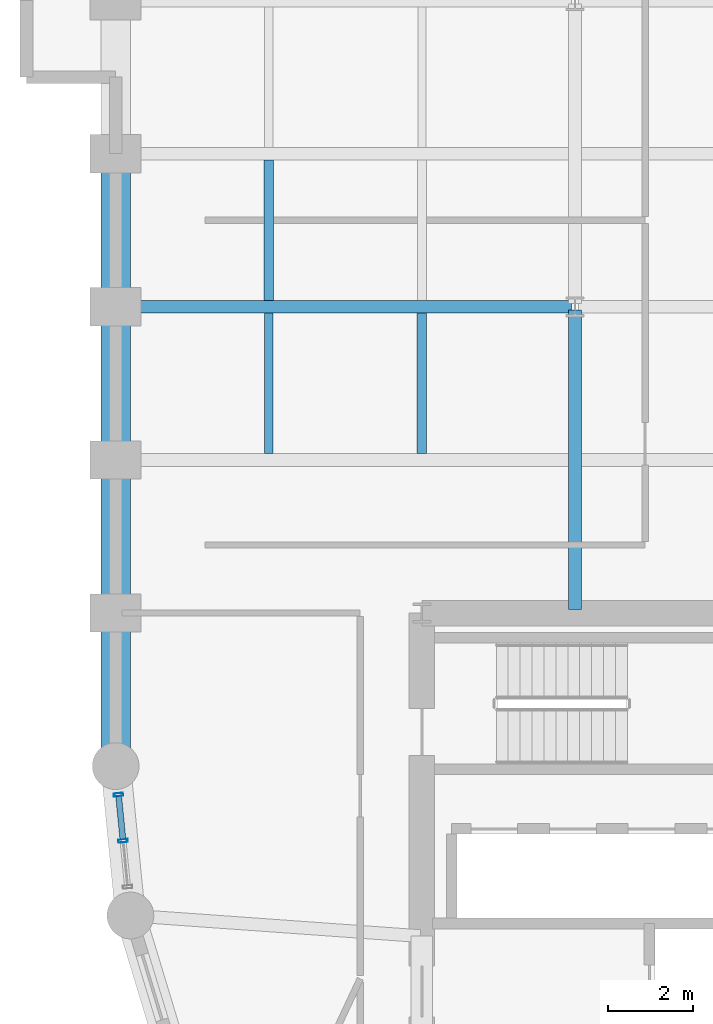
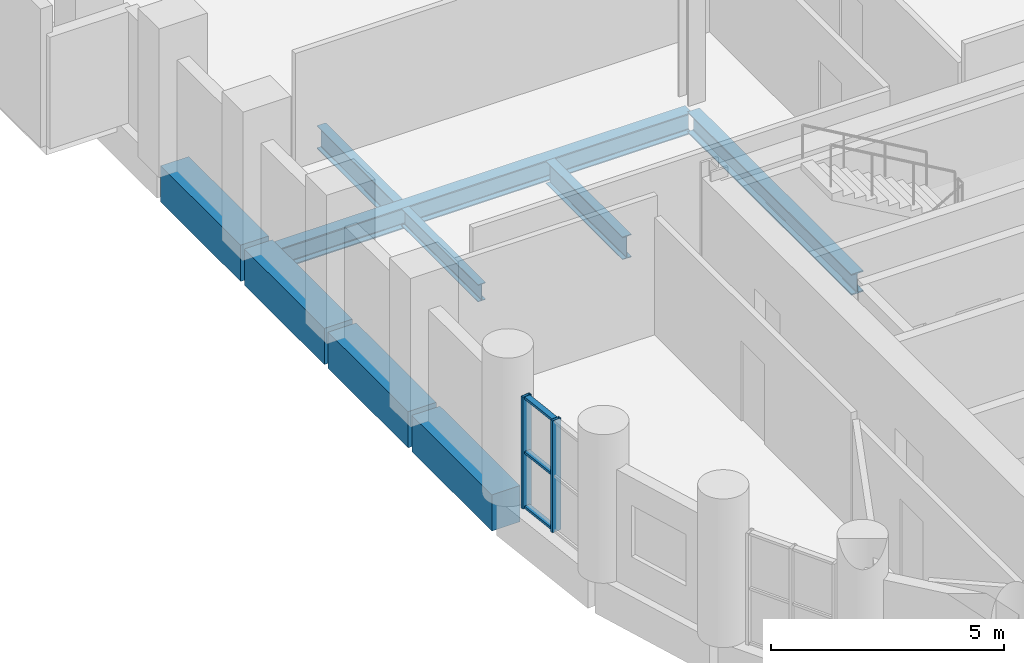
# One storey, part 5 of 13: 9 beams, 5 members, 1 element without a shape of its own.
"""IFC4 building model written with IfcOpenShell, lengths in metres."""

from ifc_helpers import new_model, si_unit, direction, frame, origin, origin_2d, place, context, subcontext, project, spatial, rectangle, hollow_rectangle, i_section, extrude, material, layer, layer_set, material_profile, profile_set, type_object, element, aggregate, save


model = new_model("IFC4")

# Units and contexts
model_context = context("Model", 3, precision=1e-05, world=origin(), true_north=direction((0.0, 1.0)))
body_context = subcontext(model_context, "Body", "Model", "MODEL_VIEW")
ifc_project = project(units=[si_unit("LENGTHUNIT", "METRE"), si_unit("AREAUNIT", "SQUARE_METRE"), si_unit("VOLUMEUNIT", "CUBIC_METRE"), si_unit("PLANEANGLEUNIT", "RADIAN"), si_unit("MASSUNIT", "GRAM", prefix="KILO")], contexts=[model_context])

# Site, building, storey
site_placement = place(None, origin())
site = spatial("IfcSite", under=ifc_project, at=site_placement, CompositionType="ELEMENT")
building_placement = place(site_placement, origin())
building = spatial("IfcBuilding", under=site, at=building_placement, Name="Solnavia Interchange Tower", CompositionType="ELEMENT")
storey_placement = place(building_placement, frame((0.0, 0.0, 51.300048828125)))
storey = spatial("IfcBuildingStorey", under=building, at=storey_placement, Name="L12", CompositionType="ELEMENT", Elevation=51.300048828125)

# Beams
ifc_material_1 = material(Name="Steel S460", Category="steel")
ifc_material_profile_1 = material_profile(ifc_material_1, i_section(OverallWidth=0.300048828125, OverallDepth=0.550048828125, WebThickness=0.014892578125, FlangeThickness=0.029052734375, FilletRadius=0.027099609375, at=origin_2d()), Name="HEB 550")
ifc_profile_set_1 = profile_set([ifc_material_profile_1], Name="Steel S460")
beam_type_1 = type_object("IfcBeamType", Name="Beam-Girder-HEB550", PredefinedType="BEAM", material=ifc_profile_set_1)
beam_1_placement = place(storey_placement, frame((18.0, 25.280029296875, -0.525146484375), z_axis=(0.0, 1.0, 0.0), x_axis=(-1.0, 0.0, 0.0)))
element("IfcBeam", 1, at=beam_1_placement, inside=storey, type_object=beam_type_1, Name="GRD-L12-NS12 North wing spine girder", PredefinedType="BEAM", context=body_context, shape_type="SweptSolid", body=[
    extrude(i_section(OverallWidth=0.300048828125, OverallDepth=0.550048828125, WebThickness=0.014892578125, FlangeThickness=0.029052734375, FilletRadius=0.027099609375, at=origin_2d()), origin(), (0.0, 0.0, 1.0), 7.0400390625),
])
beam_2_placement = place(storey_placement, frame((7.280029296875, 32.39990234375, -0.525146484375), z_axis=(1.0, 0.0, 0.0), x_axis=(0.0, 1.0, 0.0)))
element("IfcBeam", 2, at=beam_2_placement, inside=storey, type_object=beam_type_1, Name="GRD-L12-NW16 North wing primary floor girder", PredefinedType="BEAM", context=body_context, shape_type="SweptSolid", body=[
    extrude(i_section(OverallWidth=0.300048828125, OverallDepth=0.550048828125, WebThickness=0.014892578125, FlangeThickness=0.029052734375, FilletRadius=0.027099609375, at=origin_2d()), origin(), (0.0, 0.0, 1.0), 10.639892578125),
])
ifc_material_2 = material(Name="Steel S355", Category="steel")
ifc_material_profile_2 = material_profile(ifc_material_2, i_section(OverallWidth=0.18994140625, OverallDepth=0.449951171875, WebThickness=0.009521484375, FlangeThickness=0.0146484375, FilletRadius=0.02099609375, at=origin_2d()), Name="IPE 450")
ifc_profile_set_2 = profile_set([ifc_material_profile_2], Name="Steel S355")
beam_type_2 = type_object("IfcBeamType", Name="Beam-Joist-IPE450", PredefinedType="JOIST", material=ifc_profile_set_2)
beam_3_placement = place(storey_placement, frame((10.800048828125, 28.949951171875, -0.47509765625), z_axis=(0.0, 1.0, 0.0), x_axis=(-1.0, 0.0, 0.0)))
element("IfcBeam", 3, at=beam_3_placement, inside=storey, type_object=beam_type_2, Name="JST-L12-N21 North wing secondary joist", PredefinedType="JOIST", context=body_context, shape_type="SweptSolid", body=[
    extrude(i_section(OverallWidth=0.18994140625, OverallDepth=0.449951171875, WebThickness=0.009521484375, FlangeThickness=0.0146484375, FilletRadius=0.02099609375, at=origin_2d()), origin(), (0.0, 0.0, 1.0), 3.300048828125),
])
ifc_material_profile_3 = material_profile(ifc_material_2, i_section(OverallWidth=0.219970703125, OverallDepth=0.60009765625, WebThickness=0.011962890625, FlangeThickness=0.01904296875, FilletRadius=0.02392578125, at=origin_2d()), Name="IPE 600")
ifc_profile_set_3 = profile_set([ifc_material_profile_3], Name="Steel S355")
beam_type_3 = type_object("IfcBeamType", Name="Beam-Joist-IPE600", PredefinedType="JOIST", material=ifc_profile_set_3)
for number, where, z_axis, x_axis, name in (
    (4, (10.800048828125, 32.550048828125, -0.550048828125), (0.0, 1.0, 0.0), (-1.0, 0.0, 0.0), "JST-L12-N22 North wing secondary joist"),
    (5, (14.39990234375, 28.949951171875, -0.550048828125), (0.0, 1.0, 0.0), (-1.0, 0.0, 0.0), "JST-L12-N25 North wing secondary joist"),
):
    element("IfcBeam", number, at=place(storey_placement, frame(where, z_axis=z_axis, x_axis=x_axis)), inside=storey, type_object=beam_type_3, Name=name, PredefinedType="JOIST", context=body_context, shape_type="SweptSolid", body=[
        extrude(i_section(OverallWidth=0.219970703125, OverallDepth=0.60009765625, WebThickness=0.011962890625, FlangeThickness=0.01904296875, FilletRadius=0.02392578125, at=origin_2d()), origin(), (0.0, 0.0, 1.0), 3.300048828125),
    ])
ifc_material_3 = material(Name="Concrete C50/60", Category="concrete")
ifc_material_profile_4 = material_profile(ifc_material_3, rectangle(XDim=0.699951171875, YDim=0.949951171875, at=origin_2d()), Name="RC 700x950")
ifc_profile_set_4 = profile_set([ifc_material_profile_4], Name="Concrete C50/60")
beam_type_4 = type_object("IfcBeamType", Name="Beam-Spandrel-RC700x950", PredefinedType="SPANDREL", material=ifc_profile_set_4)
beam_4_placement = place(storey_placement, frame((7.199951171875, 35.919921875, -0.47509765625), z_axis=(0.0, -1.0, 0.0), x_axis=(1.0, 0.0, 0.0)))
element("IfcBeam", 6, at=beam_4_placement, inside=storey, type_object=beam_type_4, Name="SPB-L12-41 Framed-tube perimeter spandrel beam", PredefinedType="SPANDREL", context=body_context, shape_type="SweptSolid", body=[
    extrude(rectangle(XDim=0.699951171875, YDim=0.949951171875, at=origin_2d()), origin(), (0.0, 0.0, 1.0), 3.43994140625),
])
beam_5_placement = place(storey_placement, frame((7.199951171875, 32.320068359375, -0.47509765625), z_axis=(0.0, -1.0, 0.0), x_axis=(1.0, 0.0, 0.0)))
element("IfcBeam", 7, at=beam_5_placement, inside=storey, type_object=beam_type_4, Name="SPB-L12-42 Framed-tube perimeter spandrel beam", PredefinedType="SPANDREL", context=body_context, shape_type="SweptSolid", body=[
    extrude(rectangle(XDim=0.699951171875, YDim=0.949951171875, at=origin_2d()), origin(), (0.0, 0.0, 1.0), 3.440185546875),
])
beam_6_placement = place(storey_placement, frame((7.199951171875, 28.719970703125, -0.47509765625), z_axis=(0.0, -1.0, 0.0), x_axis=(1.0, 0.0, 0.0)))
element("IfcBeam", 8, at=beam_6_placement, inside=storey, type_object=beam_type_4, Name="SPB-L12-43 Framed-tube perimeter spandrel beam", PredefinedType="SPANDREL", context=body_context, shape_type="SweptSolid", body=[
    extrude(rectangle(XDim=0.699951171875, YDim=0.949951171875, at=origin_2d()), origin(), (0.0, 0.0, 1.0), 3.43994140625),
])
beam_7_placement = place(storey_placement, frame((7.199951171875, 25.1201171875, -0.47509765625), z_axis=(0.0, -1.0, 0.0), x_axis=(1.0, 0.0, 0.0)))
element("IfcBeam", 9, at=beam_7_placement, inside=storey, type_object=beam_type_4, Name="SPB-L12-44 Framed-tube perimeter spandrel beam", PredefinedType="SPANDREL", context=body_context, shape_type="SweptSolid", body=[
    extrude(rectangle(XDim=0.699951171875, YDim=0.949951171875, at=origin_2d()), origin(), (0.0, 0.0, 1.0), 3.440185546875),
])

# Curtain wall, members
ifc_material_4 = material(Name="Aluminium Alloy 6063-T6", Category="aluminium")
ifc_layer = layer(ifc_material_4, 0.239990234375)
ifc_layer_set = layer_set([ifc_layer], Name="Aluminium Alloy 6063-T6")
curtain_wall_type = type_object("IfcCurtainWallType", Name="CurtainWall-Drum-CTW2", PredefinedType="NOTDEFINED", material=ifc_layer_set)
curtain_wall_placement = place(storey_placement, origin())
curtain_wall = element("IfcCurtainWall", 10, at=curtain_wall_placement, inside=storey, type_object=curtain_wall_type, Name="CTW-L12-D59 CTW-2 curtain wall", PredefinedType="NOTDEFINED")
ifc_material_profile_5 = material_profile(ifc_material_4, hollow_rectangle(XDim=0.074951171875, YDim=0.219970703125, WallThickness=0.0048828125, at=origin_2d()), Name="ALU 220x75x5")
ifc_profile_set_5 = profile_set([ifc_material_profile_5], Name="Aluminium Alloy 6063-T6")
member_type_1 = type_object("IfcMemberType", Name="CW-Mullion-CWM-2", PredefinedType="MULLION", material=ifc_profile_set_5)
member_1_placement = place(storey_placement, frame((7.26611328125, 20.92822265625, 0.0), z_axis=(0.0, 0.0, 1.0), x_axis=(0.098045297616, -0.995181953019, 0.0)))
member_1 = element("IfcMember", 11, at=member_1_placement, type_object=member_type_1, Name="CTW-2 mullion 1", PredefinedType="MULLION", context=body_context, shape_type="SweptSolid", body=[
    extrude(hollow_rectangle(XDim=0.074951171875, YDim=0.219970703125, WallThickness=0.0048828125, at=origin_2d()), origin(), (0.0, 0.0, 1.0), 2.929931640625),
])
member_2_placement = place(storey_placement, frame((7.373046875, 19.843994140625, 0.0), z_axis=(0.0, 0.0, 1.0), x_axis=(0.098045297616, -0.995181953019, 0.0)))
member_2 = element("IfcMember", 12, at=member_2_placement, type_object=member_type_1, Name="CTW-2 mullion 2", PredefinedType="MULLION", context=body_context, shape_type="SweptSolid", body=[
    extrude(hollow_rectangle(XDim=0.074951171875, YDim=0.219970703125, WallThickness=0.0048828125, at=origin_2d()), origin(), (0.0, 0.0, 1.0), 2.929931640625),
])
ifc_material_profile_6 = material_profile(ifc_material_4, hollow_rectangle(XDim=0.06494140625, YDim=0.139892578125, WallThickness=0.00390625, at=origin_2d()), Name="ALU 140x65x4")
ifc_profile_set_6 = profile_set([ifc_material_profile_6], Name="Aluminium Alloy 6063-T6")
member_type_2 = type_object("IfcMemberType", Name="CW-Transom-CWT-2", PredefinedType="USERDEFINED", material=ifc_profile_set_6)
member_3_placement = place(storey_placement, frame((7.269775390625, 20.890869140625, 0.032470703125), z_axis=(0.098193057541, -0.99516738464, 0.0), x_axis=(0.0, 0.0, 1.0)))
member_3 = element("IfcMember", 13, at=member_3_placement, type_object=member_type_2, Name="CTW-2 transom 1.1", ObjectType="TRANSOM", PredefinedType="USERDEFINED", context=body_context, shape_type="SweptSolid", body=[
    extrude(hollow_rectangle(XDim=0.06494140625, YDim=0.139892578125, WallThickness=0.00390625, at=origin_2d()), origin(), (0.0, 0.0, 1.0), 1.014404296875),
])
member_4_placement = place(storey_placement, frame((7.269775390625, 20.890869140625, 1.46484375), z_axis=(0.098193057541, -0.99516738464, 0.0), x_axis=(0.0, 0.0, 1.0)))
member_4 = element("IfcMember", 14, at=member_4_placement, type_object=member_type_2, Name="CTW-2 transom 1.2", ObjectType="TRANSOM", PredefinedType="USERDEFINED", context=body_context, shape_type="SweptSolid", body=[
    extrude(hollow_rectangle(XDim=0.06494140625, YDim=0.139892578125, WallThickness=0.00390625, at=origin_2d()), origin(), (0.0, 0.0, 1.0), 1.014404296875),
])
member_5_placement = place(storey_placement, frame((7.269775390625, 20.890869140625, 2.8974609375), z_axis=(0.098193057541, -0.99516738464, 0.0), x_axis=(0.0, 0.0, 1.0)))
member_5 = element("IfcMember", 15, at=member_5_placement, type_object=member_type_2, Name="CTW-2 transom 1.3", ObjectType="TRANSOM", PredefinedType="USERDEFINED", context=body_context, shape_type="SweptSolid", body=[
    extrude(hollow_rectangle(XDim=0.06494140625, YDim=0.139892578125, WallThickness=0.00390625, at=origin_2d()), origin(), (0.0, 0.0, 1.0), 1.014404296875),
])
aggregate(curtain_wall, [member_1, member_2, member_3, member_4, member_5])

save(model, "model.ifc")
